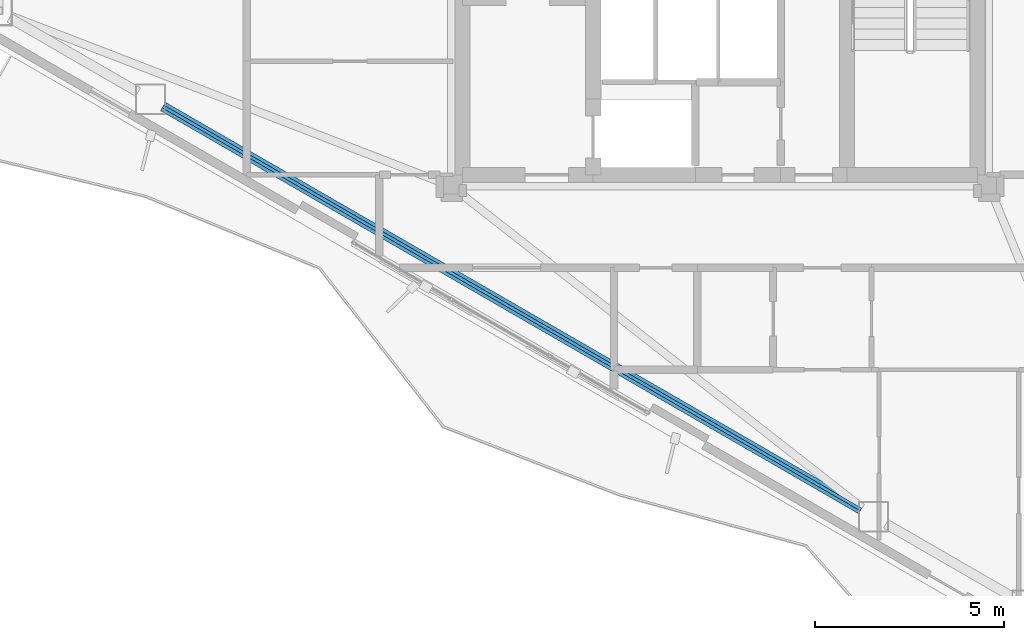
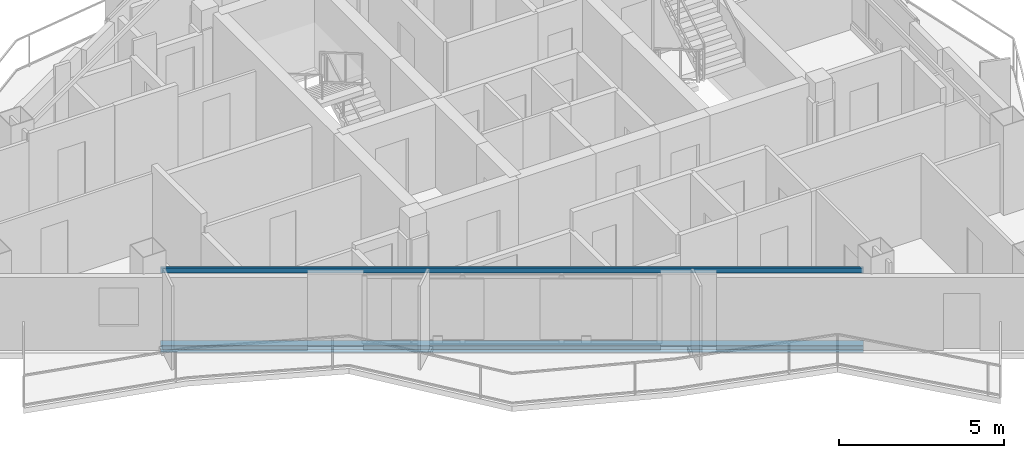
# One storey, part 3 of 22: 2 beams.
"""IFC4 building model written with IfcOpenShell, lengths in metres."""

from ifc_helpers import new_model, si_unit, direction, frame, origin, origin_2d, place, context, subcontext, project, spatial, hollow_rectangle, i_section, extrude, material, material_profile, profile_set, type_object, element, save


model = new_model("IFC4")

# Units and contexts
model_context = context("Model", 3, precision=1e-05, world=origin(), true_north=direction((0.0, 1.0)))
body_context = subcontext(model_context, "Body", "Model", "MODEL_VIEW")
ifc_project = project(units=[si_unit("LENGTHUNIT", "METRE"), si_unit("AREAUNIT", "SQUARE_METRE"), si_unit("VOLUMEUNIT", "CUBIC_METRE"), si_unit("PLANEANGLEUNIT", "RADIAN"), si_unit("MASSUNIT", "GRAM", prefix="KILO")], contexts=[model_context])

# Site, building, storey
site_placement = place(None, origin())
site = spatial("IfcSite", under=ifc_project, at=site_placement, CompositionType="ELEMENT")
building_placement = place(site_placement, origin())
building = spatial("IfcBuilding", under=site, at=building_placement, Name="Mersakhor Tower and Convention Hall", CompositionType="ELEMENT")
storey_placement = place(building_placement, frame((0.0, 0.0, 195.300048828125)))
storey = spatial("IfcBuildingStorey", under=building, at=storey_placement, Name="L54", CompositionType="ELEMENT", Elevation=195.300048828125)

# Beams
ifc_material_1 = material(Name="Steel S355", Category="steel")
ifc_material_profile_1 = material_profile(ifc_material_1, hollow_rectangle(XDim=0.080078125, YDim=0.179931640625, WallThickness=0.008056640625, at=origin_2d()), Name="RHS 180x80x8")
ifc_profile_set_1 = profile_set([ifc_material_profile_1], Name="Steel S355")
beam_type_1 = type_object("IfcBeamType", Name="BM-GRT-RHS180", PredefinedType="USERDEFINED", material=ifc_profile_set_1)
beam_1_placement = place(storey_placement, frame((32.72265625, 11.912353515625, 2.47998046875), z_axis=(-0.866024569776, 0.500001444543, 0.0), x_axis=(-0.500001444543, -0.866024569776, 0.0)))
element("IfcBeam", 1, at=beam_1_placement, inside=storey, type_object=beam_type_1, Name="L54 Facade Support Girt GRT-F3", ObjectType="GIRT", PredefinedType="USERDEFINED", context=body_context, shape_type="SweptSolid", body=[
    extrude(hollow_rectangle(XDim=0.080078125, YDim=0.179931640625, WallThickness=0.008056640625, at=origin_2d()), origin(), (0.0, 0.0, 1.0), 21.28564453125),
])
ifc_material_2 = material(Name="Steel S355", Category="steel")
ifc_material_profile_2 = material_profile(ifc_material_2, i_section(OverallWidth=0.25634765625, OverallDepth=0.26025390625, WebThickness=0.01025390625, FlangeThickness=0.017333984375, at=origin_2d()), Name="UC 254x254x89")
ifc_profile_set_2 = profile_set([ifc_material_profile_2], Name="Steel S355")
beam_type_2 = type_object("IfcBeamType", Name="BM-SPD-UC254", PredefinedType="SPANDREL", material=ifc_profile_set_2)
beam_2_placement = place(storey_placement, frame((32.72265625, 11.912353515625, -0.360107421875), z_axis=(-0.866024569776, 0.500001444543, 0.0), x_axis=(-0.500001444543, -0.866024569776, 0.0)))
element("IfcBeam", 2, at=beam_2_placement, inside=storey, type_object=beam_type_2, Name="L54 Perimeter Spandrel Beam SPB-10", PredefinedType="SPANDREL", context=body_context, shape_type="SweptSolid", body=[
    extrude(i_section(OverallWidth=0.25634765625, OverallDepth=0.26025390625, WebThickness=0.01025390625, FlangeThickness=0.017333984375, at=origin_2d()), origin(), (0.0, 0.0, 1.0), 21.28564453125),
])

save(model, "model.ifc")
